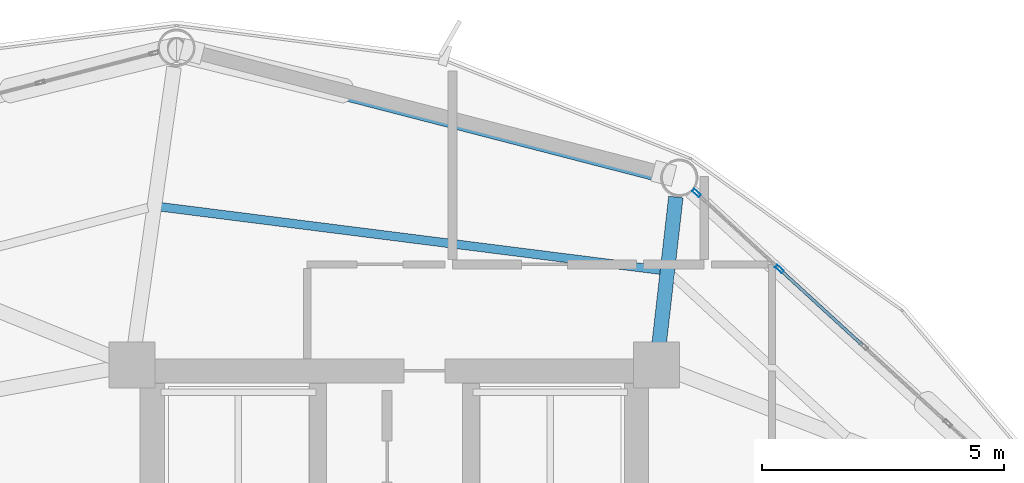
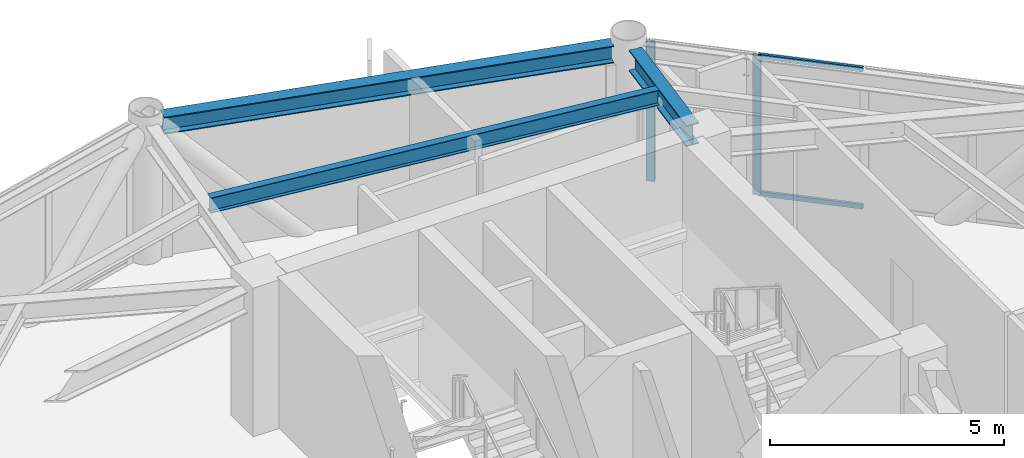
# One storey, part 19 of 27: 4 members, 3 beams, 1 element without a shape of its own.
"""IFC4 building model written with IfcOpenShell, lengths in metres."""

import ifcopenshell
import ifcopenshell.guid

model = None  # the IFC model being written
_history = None  # IfcOwnerHistory: only IFC2X3 demands one
_inside = {}  # id of a spatial element -> (the spatial element, [elements in it])
_under = {}  # id of a project, library or spatial element -> (it, [spatial elements below it])
_declared = {}  # id of a project -> (the project, [libraries it declares])
_typed = {}  # id of a type object -> (the type object, [elements of that type])
_made_of = {}  # id of a material, layer set ... -> (it, [elements and type objects made of it])


def new_model(schema):
    """Start an empty IFC model of exactly this schema.

    Asked for "IFC4X3", IfcOpenShell would pick the latest addendum, in which some entities
    have other attributes; the version numbers below select the first issue.
    IFC2X3 requires an IfcOwnerHistory on every rooted entity: one is made here for all.
    """
    global model, _history
    if schema == "IFC4X3":
        model = ifcopenshell.file(schema_version=(4, 3, 0, 0))
    else:
        model = ifcopenshell.file(schema=schema)
    _inside.clear()
    _under.clear()
    _declared.clear()
    _typed.clear()
    _made_of.clear()
    _history = None
    if model.schema == "IFC2X3":
        org = make("IfcOrganization", Name="unknown")
        user = make(
            "IfcPersonAndOrganization",
            ThePerson=make("IfcPerson", FamilyName="unknown"),
            TheOrganization=org,
        )
        app = make(
            "IfcApplication",
            ApplicationDeveloper=org,
            Version="unknown",
            ApplicationFullName="unknown",
            ApplicationIdentifier="unknown",
        )
        _history = make(
            "IfcOwnerHistory",
            OwningUser=user,
            OwningApplication=app,
            ChangeAction="ADDED",
            CreationDate=0,
        )
    return model


def make(cls, **values):
    """One entity of the class cls with the attributes given. An attribute that is None is left unset."""
    return model.create_entity(
        cls, **{name: value for name, value in values.items() if value is not None}
    )


def rooted(cls, **values):
    """An entity with a GlobalId (a new one), such as an element, a storey or a relation."""
    return make(cls, GlobalId=ifcopenshell.guid.new(), OwnerHistory=_history, **values)


def si_unit(unit_type, name, prefix=None):
    """IfcSIUnit, for example si_unit("LENGTHUNIT", "METRE", prefix="MILLI")."""
    return make("IfcSIUnit", UnitType=unit_type, Prefix=prefix, Name=name)


def assignment(units):
    """IfcUnitAssignment: the units of a project."""
    return None if units is None else make("IfcUnitAssignment", Units=units)


def point(xyz):
    """IfcCartesianPoint."""
    return None if xyz is None else make("IfcCartesianPoint", Coordinates=xyz)


def direction(xyz):
    """IfcDirection."""
    return None if xyz is None else make("IfcDirection", DirectionRatios=xyz)


def frame(location, z_axis=None, x_axis=None):
    """IfcAxis2Placement3D, a coordinate frame: its origin and axes. An axis left out is left unset."""
    return make(
        "IfcAxis2Placement3D",
        Location=point(location),
        Axis=direction(z_axis),
        RefDirection=direction(x_axis),
    )


def frame_2d(location, x_axis=None):
    """IfcAxis2Placement2D, a coordinate frame in the plane: its origin and x axis."""
    return make(
        "IfcAxis2Placement2D", Location=point(location), RefDirection=direction(x_axis)
    )


def origin():
    """The frame at (0, 0, 0) with its axes left unset."""
    return frame((0.0, 0.0, 0.0))


def origin_2d():
    """The frame at (0, 0) in the plane with its x axis left unset."""
    return frame_2d((0.0, 0.0))


def place(relative_to, where):
    """IfcLocalPlacement: puts the frame where relative to a parent placement (None: the world)."""
    return make(
        "IfcLocalPlacement", PlacementRelTo=relative_to, RelativePlacement=where
    )


def context(
    kind, dimensions, precision=None, world=None, true_north=None, identifier=None
):
    """IfcGeometricRepresentationContext, for example the 3D "Model" context."""
    return make(
        "IfcGeometricRepresentationContext",
        ContextIdentifier=identifier,
        ContextType=kind,
        CoordinateSpaceDimension=dimensions,
        Precision=precision,
        WorldCoordinateSystem=world,
        TrueNorth=true_north,
    )


def subcontext(parent, identifier, kind, view, scale=None):
    """IfcGeometricRepresentationSubContext, for example "Body" below "Model"."""
    return make(
        "IfcGeometricRepresentationSubContext",
        ContextIdentifier=identifier,
        ContextType=kind,
        ParentContext=parent,
        TargetScale=scale,
        TargetView=view,
    )


def project(units=None, contexts=None):
    """IfcProject with its units and contexts."""
    return rooted(
        "IfcProject",
        Name="project",
        RepresentationContexts=contexts,
        UnitsInContext=assignment(units),
    )


def spatial(cls, under=None, at=None, **own):
    """A site, building, storey or space (cls), placed at a placement, below another one or the project."""
    s = rooted(cls, ObjectPlacement=at, **own)
    if under is not None:
        _under.setdefault(under.id(), (under, []))[1].append(s)
    return s


def profile(cls, at=None, kind="AREA", **sizes):
    """A parametric profile (cls). Its sizes go by their IFC names, for example OverallWidth=200.0."""
    return make(cls, ProfileType=kind, Position=at, **sizes)


def hollow_rectangle(**sizes):
    """IfcRectangleHollowProfileDef."""
    return profile("IfcRectangleHollowProfileDef", **sizes)


def i_section(**sizes):
    """IfcIShapeProfileDef."""
    return profile("IfcIShapeProfileDef", **sizes)


def extrude(swept, where, along, depth):
    """IfcExtrudedAreaSolid: the profile swept, set in the frame where, extruded along a direction by depth."""
    return make(
        "IfcExtrudedAreaSolid",
        SweptArea=swept,
        Position=where,
        ExtrudedDirection=direction(along),
        Depth=depth,
    )


def shape(context_of_items, identifier, shape_type, items):
    """IfcShapeRepresentation: the items that make up one representation, for example the "Body"."""
    return make(
        "IfcShapeRepresentation",
        ContextOfItems=context_of_items,
        RepresentationIdentifier=identifier,
        RepresentationType=shape_type,
        Items=items,
    )


def material(Name=None, Category=None):
    """IfcMaterial."""
    return make("IfcMaterial", Name=Name, Category=Category)


def layer(
    of_material, thickness, ventilated=None, Name=None, Category=None, Priority=None
):
    """IfcMaterialLayer: one layer of a wall or slab, of a material (None: an air gap)."""
    return make(
        "IfcMaterialLayer",
        Material=of_material,
        LayerThickness=thickness,
        IsVentilated=ventilated,
        Name=Name,
        Category=Category,
        Priority=Priority,
    )


def layer_set(layers, Name=None):
    """IfcMaterialLayerSet."""
    return make("IfcMaterialLayerSet", MaterialLayers=layers, LayerSetName=Name)


def material_profile(
    of_material, cross_section, Name=None, Category=None, Priority=None
):
    """IfcMaterialProfile: a cross section and its material."""
    return make(
        "IfcMaterialProfile",
        Name=Name,
        Material=of_material,
        Profile=cross_section,
        Priority=Priority,
        Category=Category,
    )


def profile_set(profiles, Name=None, composite=None):
    """IfcMaterialProfileSet."""
    return make(
        "IfcMaterialProfileSet",
        Name=Name,
        MaterialProfiles=profiles,
        CompositeProfile=composite,
    )


def made_of(thing, what):
    """Note that an element or type object is made of a material, layer set ...; save() writes the relation."""
    if what is not None:
        _made_of.setdefault(what.id(), (what, []))[1].append(thing)
    return thing


def type_object(cls, material=None, **own):
    """A type object (cls), such as IfcWallType, which elements share."""
    return made_of(rooted(cls, **own), material)


def element(
    cls,
    number,
    at=None,
    inside=None,
    cuts=None,
    type_object=None,
    material=None,
    context=None,
    identifier="Body",
    shape_type=None,
    held_by="IfcProductDefinitionShape",
    body=None,
    shapes=None,
    **own,
):
    """One element of the class cls, such as IfcWall. Its Tag is "e" and its number.

    at: its placement. inside: the storey or other place that contains it. cuts: it is an
    opening in that element (IfcRelVoidsElement). A single representation is given by context,
    identifier, shape_type and body (its items); several are given by shapes. held_by: the class
    of the entity that holds the representations. save() writes the other relations.
    """
    e = rooted(cls, Tag="e%d" % number, ObjectPlacement=at, **own)
    if body is not None:
        shapes = [shape(context, identifier, shape_type, body)]
    if shapes is not None:
        e.Representation = make(held_by, Representations=shapes)
    if inside is not None:
        _inside.setdefault(inside.id(), (inside, []))[1].append(e)
    if cuts is not None:
        rooted(
            "IfcRelVoidsElement", RelatingBuildingElement=cuts, RelatedOpeningElement=e
        )
    if type_object is not None:
        _typed.setdefault(type_object.id(), (type_object, []))[1].append(e)
    return made_of(e, material)


def aggregate(whole, parts):
    """IfcRelAggregates: a whole, such as a stair, and the parts it consists of."""
    return rooted("IfcRelAggregates", RelatingObject=whole, RelatedObjects=parts)


def save(model, path):
    """Write the relations noted so far, then the file.

    IfcRelAggregates (storeys below a building ...), IfcRelContainedInSpatialStructure (elements
    in a storey), IfcRelDefinesByType, IfcRelAssociatesMaterial and IfcRelDeclares: one each for
    every whole, place, type object, material and project.
    """
    for whole, parts in _under.values():
        aggregate(whole, parts)
    for where, things in _inside.values():
        rooted(
            "IfcRelContainedInSpatialStructure",
            RelatedElements=things,
            RelatingStructure=where,
        )
    for kind, things in _typed.values():
        rooted("IfcRelDefinesByType", RelatedObjects=things, RelatingType=kind)
    for what, things in _made_of.values():
        rooted("IfcRelAssociatesMaterial", RelatedObjects=things, RelatingMaterial=what)
    for by, libraries in _declared.values():
        rooted("IfcRelDeclares", RelatingContext=by, RelatedDefinitions=libraries)
    model.write(path)


model = new_model("IFC4")

# Units and contexts
model_context = context("Model", 3, precision=1e-05, world=origin(), true_north=direction((0.0, 1.0)))
body_context = subcontext(model_context, "Body", "Model", "MODEL_VIEW")
ifc_project = project(units=[si_unit("LENGTHUNIT", "METRE"), si_unit("AREAUNIT", "SQUARE_METRE"), si_unit("VOLUMEUNIT", "CUBIC_METRE"), si_unit("PLANEANGLEUNIT", "RADIAN"), si_unit("MASSUNIT", "GRAM", prefix="KILO")], contexts=[model_context])

# Site, building, storey
site_placement = place(None, origin())
site = spatial("IfcSite", under=ifc_project, at=site_placement, CompositionType="ELEMENT")
building_placement = place(site_placement, origin())
building = spatial("IfcBuilding", under=site, at=building_placement, Name="Varnakorn Sky Granary", CompositionType="ELEMENT")
storey_placement = place(building_placement, frame((0.0, 0.0, 142.199951171875)))
storey = spatial("IfcBuildingStorey", under=building, at=storey_placement, Name="L35", CompositionType="ELEMENT", Elevation=142.199951171875)

# Beams
ifc_material_1 = material(Name="Steel S355JR", Category="steel")
ifc_material_profile_1 = material_profile(ifc_material_1, i_section(OverallWidth=0.300048828125, OverallDepth=0.550048828125, WebThickness=0.014892578125, FlangeThickness=0.029052734375, at=origin_2d()), Name="HE 550 B")
ifc_profile_set_1 = profile_set([ifc_material_profile_1], Name="Steel S355JR")
beam_type_1 = type_object("IfcBeamType", Name="BM-RAD-Z3", PredefinedType="BEAM", material=ifc_profile_set_1)
beam_1_placement = place(storey_placement, frame((8.467529296875, 13.037353515625, 3.364990234375), z_axis=(0.113324854148, 0.993557988963, 0.0), x_axis=(-0.993557988963, 0.113324854148, 0.0)))
element("IfcBeam", 1, at=beam_1_placement, inside=storey, type_object=beam_type_1, Name="Radial Floor Girder RG03 L35", PredefinedType="BEAM", context=body_context, shape_type="SweptSolid", body=[
    extrude(i_section(OverallWidth=0.300048828125, OverallDepth=0.550048828125, WebThickness=0.014892578125, FlangeThickness=0.029052734375, at=origin_2d()), origin(), (0.0, 0.0, 1.0), 3.07421875),
])
ifc_material_profile_2 = material_profile(ifc_material_1, i_section(OverallWidth=0.179931640625, OverallDepth=0.39990234375, WebThickness=0.008544921875, FlangeThickness=0.013427734375, at=origin_2d()), Name="IPE 400")
ifc_profile_set_2 = profile_set([ifc_material_profile_2], Name="Steel S355JR")
beam_type_2 = type_object("IfcBeamType", Name="BM-SEC-Z3", PredefinedType="BEAM", material=ifc_profile_set_2)
beam_2_placement = place(storey_placement, frame((8.5029296875, 14.58203125, 3.43994140625), z_axis=(-0.992097752944, 0.125467320856, 0.0), x_axis=(-0.125467320856, -0.992097752944, 0.0)))
element("IfcBeam", 2, at=beam_2_placement, inside=storey, type_object=beam_type_2, Name="Secondary Floor Chord Beam MSB03 L35", PredefinedType="BEAM", context=body_context, shape_type="SweptSolid", body=[
    extrude(i_section(OverallWidth=0.179931640625, OverallDepth=0.39990234375, WebThickness=0.008544921875, FlangeThickness=0.013427734375, at=origin_2d()), origin(), (0.0, 0.0, 1.0), 10.402587890625),
])
ifc_material_profile_3 = material_profile(ifc_material_1, i_section(OverallWidth=0.300048828125, OverallDepth=0.449951171875, WebThickness=0.013916015625, FlangeThickness=0.02587890625, at=origin_2d()), Name="HE 450 B")
ifc_profile_set_3 = profile_set([ifc_material_profile_3], Name="Steel S355JR")
beam_type_3 = type_object("IfcBeamType", Name="BM-SPD-Z3", PredefinedType="SPANDREL", material=ifc_profile_set_3)
beam_3_placement = place(storey_placement, frame((8.503173828125, 16.547119140625, 3.4150390625), z_axis=(-0.968106562543, 0.250538786541, 0.0), x_axis=(-0.250538786541, -0.968106562543, 0.0)))
element("IfcBeam", 3, at=beam_3_placement, inside=storey, type_object=beam_type_3, Name="Perimeter Spandrel Ring Beam RB03 L35", PredefinedType="SPANDREL", context=body_context, shape_type="SweptSolid", body=[
    extrude(i_section(OverallWidth=0.300048828125, OverallDepth=0.449951171875, WebThickness=0.013916015625, FlangeThickness=0.02587890625, at=origin_2d()), origin(), (0.0, 0.0, 1.0), 9.966796875),
])

# Curtain wall, members
ifc_material_2 = material(Name="Anodised Bronze Aluminium Alloy 6063-T6", Category="aluminium")
ifc_layer = layer(ifc_material_2, 0.179931640625, Name="Anodised Bronze Aluminium Alloy 6063-T6")
ifc_layer_set = layer_set([ifc_layer], Name="Anodised Bronze Aluminium Alloy 6063-T6")
curtain_wall_type = type_object("IfcCurtainWallType", Name="CW-FRM-2", PredefinedType="USERDEFINED", material=ifc_layer_set)
curtain_wall_placement = place(storey_placement, origin())
curtain_wall = element("IfcCurtainWall", 4, at=curtain_wall_placement, inside=storey, type_object=curtain_wall_type, Name="Unitised Curtain Wall CW4 CW-L35-B02", ObjectType="CURTAIN WALL", PredefinedType="USERDEFINED")
ifc_material_profile_4 = material_profile(ifc_material_2, hollow_rectangle(XDim=0.070068359375, YDim=0.18505859375, WallThickness=0.00390625, at=origin_2d()), Name="ALU MULL 70x185")
ifc_profile_set_4 = profile_set([ifc_material_profile_4], Name="Anodised Bronze Aluminium Alloy 6063-T6")
member_type_1 = type_object("IfcMemberType", Name="CW-FRM-2-MULL", PredefinedType="MULLION", material=ifc_profile_set_4)
member_1_placement = place(storey_placement, frame((9.241943359375, 16.174560546875, 0.0), z_axis=(0.0, 0.0, 1.0), x_axis=(0.675684798243, 0.737190649305, 0.0)))
member_1 = element("IfcMember", 5, at=member_1_placement, type_object=member_type_1, Name="CW4 mullion 1", PredefinedType="MULLION", context=body_context, shape_type="SweptSolid", body=[
    extrude(hollow_rectangle(XDim=0.070068359375, YDim=0.18505859375, WallThickness=0.00390625, at=origin_2d()), origin(), (0.0, 0.0, 1.0), 3.64013671875),
])
member_2_placement = place(storey_placement, frame((10.955322265625, 14.60400390625, 0.0), z_axis=(0.0, 0.0, 1.0), x_axis=(0.675684798243, 0.737190649305, 0.0)))
member_2 = element("IfcMember", 6, at=member_2_placement, type_object=member_type_1, Name="CW4 mullion 2", PredefinedType="MULLION", context=body_context, shape_type="SweptSolid", body=[
    extrude(hollow_rectangle(XDim=0.070068359375, YDim=0.18505859375, WallThickness=0.00390625, at=origin_2d()), origin(), (0.0, 0.0, 1.0), 3.64013671875),
])
ifc_material_profile_5 = material_profile(ifc_material_2, hollow_rectangle(XDim=0.06494140625, YDim=0.1201171875, WallThickness=0.00341796875, at=origin_2d()), Name="ALU TRAN 65x120")
ifc_profile_set_5 = profile_set([ifc_material_profile_5], Name="Anodised Bronze Aluminium Alloy 6063-T6")
member_type_2 = type_object("IfcMemberType", Name="CW-FRM-2-TRAN", PredefinedType="USERDEFINED", material=ifc_profile_set_5)
member_3_placement = place(storey_placement, frame((10.98095703125, 14.580322265625, 0.032470703125), z_axis=(0.737207264756, -0.675666669883, 0.0), x_axis=(0.675666669883, 0.737207264756, 0.0)))
member_3 = element("IfcMember", 7, at=member_3_placement, type_object=member_type_2, Name="CW4 transom 2.1", ObjectType="TRANSOM", PredefinedType="USERDEFINED", context=body_context, shape_type="SweptSolid", body=[
    extrude(hollow_rectangle(XDim=0.06494140625, YDim=0.1201171875, WallThickness=0.00341796875, at=origin_2d()), origin(), (0.0, 0.0, 1.0), 2.2890625),
])
member_4_placement = place(storey_placement, frame((10.98095703125, 14.580322265625, 3.607666015625), z_axis=(0.737207264756, -0.675666669883, 0.0), x_axis=(0.675666669883, 0.737207264756, 0.0)))
member_4 = element("IfcMember", 8, at=member_4_placement, type_object=member_type_2, Name="CW4 transom 2.2", ObjectType="TRANSOM", PredefinedType="USERDEFINED", context=body_context, shape_type="SweptSolid", body=[
    extrude(hollow_rectangle(XDim=0.06494140625, YDim=0.1201171875, WallThickness=0.00341796875, at=origin_2d()), origin(), (0.0, 0.0, 1.0), 2.2890625),
])
aggregate(curtain_wall, [member_1, member_2, member_3, member_4])

save(model, "model.ifc")
